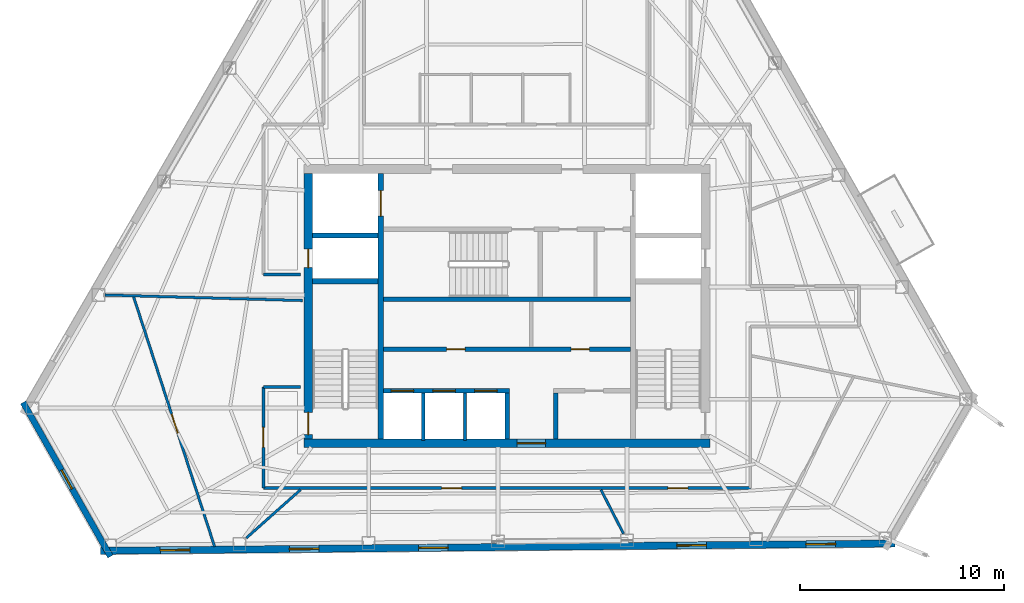
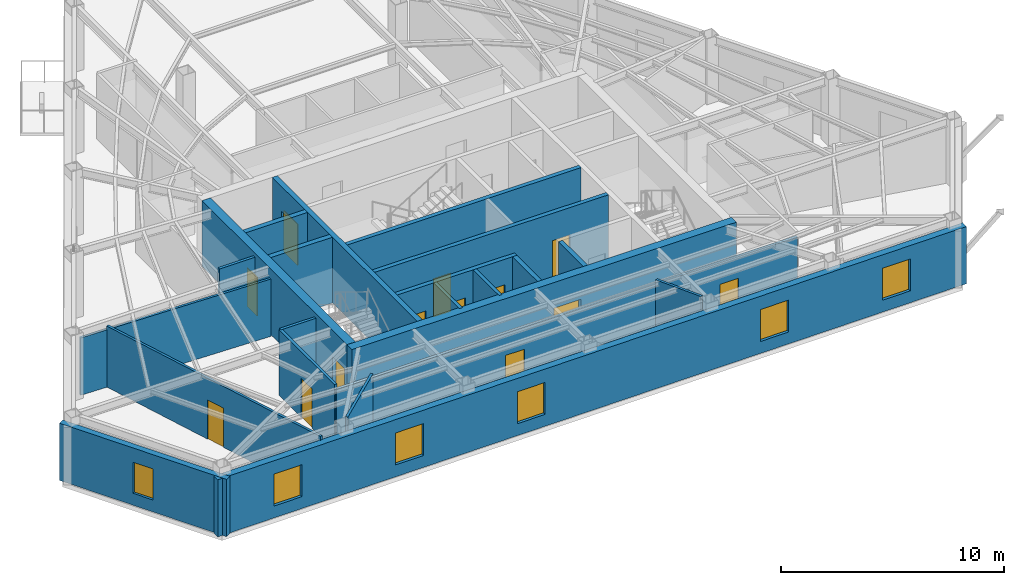
# One storey, part 6 of 10: 22 walls, 13 doors, 6 windows, 19 openings.
"""IFC4 building model written with IfcOpenShell, lengths in metres."""

import ifcopenshell
import ifcopenshell.guid

model = None  # the IFC model being written
_history = None  # IfcOwnerHistory: only IFC2X3 demands one
_inside = {}  # id of a spatial element -> (the spatial element, [elements in it])
_under = {}  # id of a project, library or spatial element -> (it, [spatial elements below it])
_declared = {}  # id of a project -> (the project, [libraries it declares])
_typed = {}  # id of a type object -> (the type object, [elements of that type])
_made_of = {}  # id of a material, layer set ... -> (it, [elements and type objects made of it])


def new_model(schema):
    """Start an empty IFC model of exactly this schema.

    Asked for "IFC4X3", IfcOpenShell would pick the latest addendum, in which some entities
    have other attributes; the version numbers below select the first issue.
    IFC2X3 requires an IfcOwnerHistory on every rooted entity: one is made here for all.
    """
    global model, _history
    if schema == "IFC4X3":
        model = ifcopenshell.file(schema_version=(4, 3, 0, 0))
    else:
        model = ifcopenshell.file(schema=schema)
    _inside.clear()
    _under.clear()
    _declared.clear()
    _typed.clear()
    _made_of.clear()
    _history = None
    if model.schema == "IFC2X3":
        org = make("IfcOrganization", Name="unknown")
        user = make(
            "IfcPersonAndOrganization",
            ThePerson=make("IfcPerson", FamilyName="unknown"),
            TheOrganization=org,
        )
        app = make(
            "IfcApplication",
            ApplicationDeveloper=org,
            Version="unknown",
            ApplicationFullName="unknown",
            ApplicationIdentifier="unknown",
        )
        _history = make(
            "IfcOwnerHistory",
            OwningUser=user,
            OwningApplication=app,
            ChangeAction="ADDED",
            CreationDate=0,
        )
    return model


def make(cls, **values):
    """One entity of the class cls with the attributes given. An attribute that is None is left unset."""
    return model.create_entity(
        cls, **{name: value for name, value in values.items() if value is not None}
    )


def rooted(cls, **values):
    """An entity with a GlobalId (a new one), such as an element, a storey or a relation."""
    return make(cls, GlobalId=ifcopenshell.guid.new(), OwnerHistory=_history, **values)


def si_unit(unit_type, name, prefix=None):
    """IfcSIUnit, for example si_unit("LENGTHUNIT", "METRE", prefix="MILLI")."""
    return make("IfcSIUnit", UnitType=unit_type, Prefix=prefix, Name=name)


def assignment(units):
    """IfcUnitAssignment: the units of a project."""
    return None if units is None else make("IfcUnitAssignment", Units=units)


def point(xyz):
    """IfcCartesianPoint."""
    return None if xyz is None else make("IfcCartesianPoint", Coordinates=xyz)


def direction(xyz):
    """IfcDirection."""
    return None if xyz is None else make("IfcDirection", DirectionRatios=xyz)


def frame(location, z_axis=None, x_axis=None):
    """IfcAxis2Placement3D, a coordinate frame: its origin and axes. An axis left out is left unset."""
    return make(
        "IfcAxis2Placement3D",
        Location=point(location),
        Axis=direction(z_axis),
        RefDirection=direction(x_axis),
    )


def frame_2d(location, x_axis=None):
    """IfcAxis2Placement2D, a coordinate frame in the plane: its origin and x axis."""
    return make(
        "IfcAxis2Placement2D", Location=point(location), RefDirection=direction(x_axis)
    )


def origin():
    """The frame at (0, 0, 0) with its axes left unset."""
    return frame((0.0, 0.0, 0.0))


def place(relative_to, where):
    """IfcLocalPlacement: puts the frame where relative to a parent placement (None: the world)."""
    return make(
        "IfcLocalPlacement", PlacementRelTo=relative_to, RelativePlacement=where
    )


def context(
    kind, dimensions, precision=None, world=None, true_north=None, identifier=None
):
    """IfcGeometricRepresentationContext, for example the 3D "Model" context."""
    return make(
        "IfcGeometricRepresentationContext",
        ContextIdentifier=identifier,
        ContextType=kind,
        CoordinateSpaceDimension=dimensions,
        Precision=precision,
        WorldCoordinateSystem=world,
        TrueNorth=true_north,
    )


def subcontext(parent, identifier, kind, view, scale=None):
    """IfcGeometricRepresentationSubContext, for example "Body" below "Model"."""
    return make(
        "IfcGeometricRepresentationSubContext",
        ContextIdentifier=identifier,
        ContextType=kind,
        ParentContext=parent,
        TargetScale=scale,
        TargetView=view,
    )


def project(units=None, contexts=None):
    """IfcProject with its units and contexts."""
    return rooted(
        "IfcProject",
        Name="project",
        RepresentationContexts=contexts,
        UnitsInContext=assignment(units),
    )


def spatial(cls, under=None, at=None, **own):
    """A site, building, storey or space (cls), placed at a placement, below another one or the project."""
    s = rooted(cls, ObjectPlacement=at, **own)
    if under is not None:
        _under.setdefault(under.id(), (under, []))[1].append(s)
    return s


def profile(cls, at=None, kind="AREA", **sizes):
    """A parametric profile (cls). Its sizes go by their IFC names, for example OverallWidth=200.0."""
    return make(cls, ProfileType=kind, Position=at, **sizes)


def rectangle(**sizes):
    """IfcRectangleProfileDef."""
    return profile("IfcRectangleProfileDef", **sizes)


def extrude(swept, where, along, depth):
    """IfcExtrudedAreaSolid: the profile swept, set in the frame where, extruded along a direction by depth."""
    return make(
        "IfcExtrudedAreaSolid",
        SweptArea=swept,
        Position=where,
        ExtrudedDirection=direction(along),
        Depth=depth,
    )


def shape(context_of_items, identifier, shape_type, items):
    """IfcShapeRepresentation: the items that make up one representation, for example the "Body"."""
    return make(
        "IfcShapeRepresentation",
        ContextOfItems=context_of_items,
        RepresentationIdentifier=identifier,
        RepresentationType=shape_type,
        Items=items,
    )


def material(Name=None, Category=None):
    """IfcMaterial."""
    return make("IfcMaterial", Name=Name, Category=Category)


def layer(
    of_material, thickness, ventilated=None, Name=None, Category=None, Priority=None
):
    """IfcMaterialLayer: one layer of a wall or slab, of a material (None: an air gap)."""
    return make(
        "IfcMaterialLayer",
        Material=of_material,
        LayerThickness=thickness,
        IsVentilated=ventilated,
        Name=Name,
        Category=Category,
        Priority=Priority,
    )


def layer_set(layers, Name=None):
    """IfcMaterialLayerSet."""
    return make("IfcMaterialLayerSet", MaterialLayers=layers, LayerSetName=Name)


def made_of(thing, what):
    """Note that an element or type object is made of a material, layer set ...; save() writes the relation."""
    if what is not None:
        _made_of.setdefault(what.id(), (what, []))[1].append(thing)
    return thing


def type_object(cls, material=None, **own):
    """A type object (cls), such as IfcWallType, which elements share."""
    return made_of(rooted(cls, **own), material)


def element(
    cls,
    number,
    at=None,
    inside=None,
    cuts=None,
    type_object=None,
    material=None,
    context=None,
    identifier="Body",
    shape_type=None,
    held_by="IfcProductDefinitionShape",
    body=None,
    shapes=None,
    **own,
):
    """One element of the class cls, such as IfcWall. Its Tag is "e" and its number.

    at: its placement. inside: the storey or other place that contains it. cuts: it is an
    opening in that element (IfcRelVoidsElement). A single representation is given by context,
    identifier, shape_type and body (its items); several are given by shapes. held_by: the class
    of the entity that holds the representations. save() writes the other relations.
    """
    e = rooted(cls, Tag="e%d" % number, ObjectPlacement=at, **own)
    if body is not None:
        shapes = [shape(context, identifier, shape_type, body)]
    if shapes is not None:
        e.Representation = make(held_by, Representations=shapes)
    if inside is not None:
        _inside.setdefault(inside.id(), (inside, []))[1].append(e)
    if cuts is not None:
        rooted(
            "IfcRelVoidsElement", RelatingBuildingElement=cuts, RelatedOpeningElement=e
        )
    if type_object is not None:
        _typed.setdefault(type_object.id(), (type_object, []))[1].append(e)
    return made_of(e, material)


def fill(opening, filler):
    """IfcRelFillsElement: the door or window that sits in an opening."""
    return rooted(
        "IfcRelFillsElement",
        RelatingOpeningElement=opening,
        RelatedBuildingElement=filler,
    )


def aggregate(whole, parts):
    """IfcRelAggregates: a whole, such as a stair, and the parts it consists of."""
    return rooted("IfcRelAggregates", RelatingObject=whole, RelatedObjects=parts)


def save(model, path):
    """Write the relations noted so far, then the file.

    IfcRelAggregates (storeys below a building ...), IfcRelContainedInSpatialStructure (elements
    in a storey), IfcRelDefinesByType, IfcRelAssociatesMaterial and IfcRelDeclares: one each for
    every whole, place, type object, material and project.
    """
    for whole, parts in _under.values():
        aggregate(whole, parts)
    for where, things in _inside.values():
        rooted(
            "IfcRelContainedInSpatialStructure",
            RelatedElements=things,
            RelatingStructure=where,
        )
    for kind, things in _typed.values():
        rooted("IfcRelDefinesByType", RelatedObjects=things, RelatingType=kind)
    for what, things in _made_of.values():
        rooted("IfcRelAssociatesMaterial", RelatedObjects=things, RelatingMaterial=what)
    for by, libraries in _declared.values():
        rooted("IfcRelDeclares", RelatingContext=by, RelatedDefinitions=libraries)
    model.write(path)


model = new_model("IFC4")

# Units and contexts
model_context = context("Model", 3, precision=1e-05, world=origin(), true_north=direction((0.0, 1.0)))
body_context = subcontext(model_context, "Body", "Model", "MODEL_VIEW")
ifc_project = project(units=[si_unit("LENGTHUNIT", "METRE"), si_unit("AREAUNIT", "SQUARE_METRE"), si_unit("VOLUMEUNIT", "CUBIC_METRE"), si_unit("PLANEANGLEUNIT", "RADIAN"), si_unit("MASSUNIT", "GRAM", prefix="KILO")], contexts=[model_context])

# Site, building, storey
site_placement = place(None, origin())
site = spatial("IfcSite", under=ifc_project, at=site_placement, CompositionType="ELEMENT")
building_placement = place(site_placement, origin())
building = spatial("IfcBuilding", under=site, at=building_placement, Name="Kavelnor Concourse Tower", CompositionType="ELEMENT")
storey_placement = place(building_placement, frame((0.0, 0.0, 222.75)))
storey = spatial("IfcBuildingStorey", under=building, at=storey_placement, Name="L56", CompositionType="ELEMENT", Elevation=222.75)

# Wall, opening, door
ifc_material_1 = material(Name="Concrete C50/60", Category="concrete")
ifc_layer_1 = layer(ifc_material_1, 0.43994140625, Name="Concrete C50/60")
ifc_layer_set_1 = layer_set([ifc_layer_1], Name="Concrete C50/60")
wall_type_1 = type_object("IfcWallType", Name="WL-CORE-Z3-440", PredefinedType="SOLIDWALL", material=ifc_layer_set_1)
wall_1_placement = place(storey_placement, frame((28.0400390625, 9.3798828125, 0.0), z_axis=(0.0, 0.0, 1.0), x_axis=(1.0, 0.0, 0.0)))
wall_1 = element("IfcWall", 1, at=wall_1_placement, inside=storey, type_object=wall_type_1, Name="L56 Central Core South Shear Wall", PredefinedType="SOLIDWALL", context=body_context, shape_type="SweptSolid", body=[
    extrude(rectangle(XDim=19.919921875, YDim=0.43994140625, at=frame_2d((9.9599609375, 0.0))), origin(), (0.0, 0.0, 1.0), 3.60009765625),
])
opening_1_placement = place(wall_1_placement, frame((10.4599609375, 0.0, 0.0)))
opening_1 = element("IfcOpeningElement", 2, at=opening_1_placement, cuts=wall_1, Name="Opening SD-140", PredefinedType="OPENING", context=body_context, shape_type="SweptSolid", body=[
    extrude(rectangle(XDim=1.39990234375, YDim=2.199951171875, at=frame_2d((0.699951171875, 1.10009765625))), frame((0.0, 0.22998046875, 0.0), z_axis=(0.0, -1.0, 0.0), x_axis=(1.0, 0.0, 0.0)), (0.0, 0.0, 1.0), 0.4599609375),
])
ifc_material_2 = material(Name="Solid-core hardwood timber", Category="wood")
door_type_1 = type_object("IfcDoorType", Name="DR-SUITE-ENTRY-1400", OperationType="NOTDEFINED", PredefinedType="DOOR", material=ifc_material_2)
door_1_placement = place(opening_1_placement, origin())
door_1 = element("IfcDoor", 3, at=door_1_placement, inside=storey, type_object=door_type_1, Name="L56 Passenger Lift Lobby Entry Door", OperationType="SINGLE_SWING_LEFT", OverallHeight=2.199951171875, OverallWidth=1.39990234375, PredefinedType="DOOR", context=body_context, shape_type="SweptSolid", body=[
    extrude(rectangle(XDim=1.39990234375, YDim=2.199951171875, at=frame_2d((0.699951171875, 1.10009765625))), frame((0.0, 0.02490234375, 0.0), z_axis=(0.0, -1.0, 0.0), x_axis=(1.0, 0.0, 0.0)), (0.0, 0.0, 1.0), 0.050048828125),
])
fill(opening_1, door_1)

# Wall, openings, doors
wall_2_placement = place(storey_placement, frame((28.260009765625, 9.60009765625, 0.0), z_axis=(0.0, 0.0, 1.0), x_axis=(0.0, 1.0, 0.0)))
wall_2 = element("IfcWall", 4, at=wall_2_placement, inside=storey, type_object=wall_type_1, Name="L56 Central Core West Shear Wall", PredefinedType="SOLIDWALL", context=body_context, shape_type="SweptSolid", body=[
    extrude(rectangle(XDim=13.0, YDim=0.43994140625, at=frame_2d((6.5, 0.0))), origin(), (0.0, 0.0, 1.0), 3.60009765625),
])
opening_2_placement = place(wall_2_placement, frame((0.199951171875, 0.0, 0.0)))
opening_2 = element("IfcOpeningElement", 5, at=opening_2_placement, cuts=wall_2, Name="Opening FD-110", PredefinedType="OPENING", context=body_context, shape_type="SweptSolid", body=[
    extrude(rectangle(XDim=1.10009765625, YDim=2.14990234375, at=frame_2d((0.550048828125, 1.074951171875))), frame((0.0, 0.22998046875, 0.0), z_axis=(0.0, -1.0, 0.0), x_axis=(1.0, 0.0, 0.0)), (0.0, 0.0, 1.0), 0.4599609375),
])
opening_3_placement = place(wall_2_placement, frame((8.39990234375, 0.0, 0.0)))
opening_3 = element("IfcOpeningElement", 6, at=opening_3_placement, cuts=wall_2, Name="Opening FD-090", PredefinedType="OPENING", context=body_context, shape_type="SweptSolid", body=[
    extrude(rectangle(XDim=0.89990234375, YDim=2.10009765625, at=frame_2d((0.449951171875, 1.050048828125))), frame((0.0, 0.22998046875, 0.0), z_axis=(0.0, -1.0, 0.0), x_axis=(1.0, 0.0, 0.0)), (0.0, 0.0, 1.0), 0.4599609375),
])
ifc_material_3 = material(Name="Steel Grade 350", Category="steel")
door_type_2 = type_object("IfcDoorType", Name="DR-RISER-FIRE-900", OperationType="NOTDEFINED", PredefinedType="DOOR", material=ifc_material_3)
door_2_placement = place(opening_3_placement, origin())
door_2 = element("IfcDoor", 7, at=door_2_placement, inside=storey, type_object=door_type_2, Name="L56 West Riser Access Door", OperationType="SINGLE_SWING_RIGHT", OverallHeight=2.10009765625, OverallWidth=0.89990234375, PredefinedType="DOOR", context=body_context, shape_type="SweptSolid", body=[
    extrude(rectangle(XDim=0.89990234375, YDim=2.10009765625, at=frame_2d((0.449951171875, 1.050048828125))), frame((0.0, 0.02490234375, 0.0), z_axis=(0.0, -1.0, 0.0), x_axis=(1.0, 0.0, 0.0)), (0.0, 0.0, 1.0), 0.050048828125),
])
fill(opening_3, door_2)
door_type_3 = type_object("IfcDoorType", Name="DR-STAIR-FIRE-1100", OperationType="NOTDEFINED", PredefinedType="DOOR", material=ifc_material_3)
door_3_placement = place(opening_2_placement, origin())
door_3 = element("IfcDoor", 8, at=door_3_placement, inside=storey, type_object=door_type_3, Name="L56 Stair ST1 Fire Door", OperationType="SINGLE_SWING_LEFT", OverallHeight=2.14990234375, OverallWidth=1.10009765625, PredefinedType="DOOR", context=body_context, shape_type="SweptSolid", body=[
    extrude(rectangle(XDim=1.10009765625, YDim=2.14990234375, at=frame_2d((0.550048828125, 1.074951171875))), frame((0.0, 0.02490234375, 0.0), z_axis=(0.0, -1.0, 0.0), x_axis=(1.0, 0.0, 0.0)), (0.0, 0.0, 1.0), 0.050048828125),
])
fill(opening_2, door_3)

# Wall, opening, window
ifc_material_4 = material(Name="Buff ironspot clay face brick masonry", Category="masonry")
ifc_layer_2 = layer(ifc_material_4, 0.300048828125, Name="Buff ironspot clay face brick masonry")
ifc_layer_set_2 = layer_set([ifc_layer_2], Name="Buff ironspot clay face brick masonry")
wall_type_2 = type_object("IfcWallType", Name="WL-EXT-BUFF-BRICK-FOLD-300", PredefinedType="STANDARD", material=ifc_layer_set_2)
wall_3_placement = place(storey_placement, frame((18.559814453125, 3.82568359375, 0.0), z_axis=(0.0, 0.0, 1.0), x_axis=(-0.493102643732, 0.86997113903, 0.0)))
wall_3 = element("IfcWall", 9, at=wall_3_placement, inside=storey, type_object=wall_type_2, Name="L56 Exterior Brick Facade Wall E2", PredefinedType="STANDARD", context=body_context, shape_type="SweptSolid", body=[
    extrude(rectangle(XDim=8.685302734375, YDim=0.300048828125, at=frame_2d((4.3427734375, 0.0))), origin(), (0.0, 0.0, 1.0), 3.132080078125),
])
opening_4_placement = place(wall_3_placement, frame((3.817626953125, 0.0, 0.64990234375)))
opening_4 = element("IfcOpeningElement", 10, at=opening_4_placement, cuts=wall_3, Name="Opening W-06", PredefinedType="OPENING", context=body_context, shape_type="SweptSolid", body=[
    extrude(rectangle(XDim=1.050048828125, YDim=1.699951171875, at=frame_2d((0.52490234375, 0.85009765625))), frame((0.0, 0.16015625, 0.0), z_axis=(0.0, -1.0, 0.0), x_axis=(1.0, 0.0, 0.0)), (0.0, 0.0, 1.0), 0.320068359375),
])
ifc_material_5 = material(Name="Double low-E argon insulated glazing", Category="glass")
window_type_1 = type_object("IfcWindowType", Name="WIN-FOLD-1050", PartitioningType="SINGLE_PANEL", PredefinedType="WINDOW", material=ifc_material_5)
window_1_placement = place(opening_4_placement, origin())
window_1 = element("IfcWindow", 11, at=window_1_placement, inside=storey, type_object=window_type_1, Name="L56 Chamfer-Fold Facet Window C1", OverallHeight=1.699951171875, OverallWidth=1.050048828125, PartitioningType="SINGLE_PANEL", PredefinedType="WINDOW", context=body_context, shape_type="SweptSolid", body=[
    extrude(rectangle(XDim=1.050048828125, YDim=1.699951171875, at=frame_2d((0.52490234375, 0.85009765625))), frame((0.0, 0.030029296875, 0.0), z_axis=(0.0, -1.0, 0.0), x_axis=(1.0, 0.0, 0.0)), (0.0, 0.0, 1.0), 0.06005859375),
])
fill(opening_4, window_1)

# Wall, openings, windows
ifc_material_6 = material(Name="Red-ochre clay face brick masonry", Category="masonry")
ifc_layer_3 = layer(ifc_material_6, 0.35009765625, Name="Red-ochre clay face brick masonry")
ifc_layer_set_3 = layer_set([ifc_layer_3], Name="Red-ochre clay face brick masonry")
wall_type_3 = type_object("IfcWallType", Name="WL-EXT-RED-BRICK-PIER-350", PredefinedType="STANDARD", material=ifc_layer_set_3)
wall_4_placement = place(storey_placement, frame((57.0380859375, 4.4638671875, 0.0), z_axis=(0.0, 0.0, 1.0), x_axis=(-0.999957405044, -0.009229739812, 0.0)))
wall_4 = element("IfcWall", 12, at=wall_4_placement, inside=storey, type_object=wall_type_3, Name="L56 Exterior Brick Facade Wall E3", PredefinedType="STANDARD", context=body_context, shape_type="SweptSolid", body=[
    extrude(rectangle(XDim=38.963134765625, YDim=0.35009765625, at=frame_2d((19.4814453125, 0.0))), origin(), (0.0, 0.0, 1.0), 3.132080078125),
])
opening_5_placement = place(wall_4_placement, frame((34.588134765625, 0.0, 0.64990234375)))
opening_5 = element("IfcOpeningElement", 13, at=opening_5_placement, cuts=wall_4, Name="Opening W-03", PredefinedType="OPENING", context=body_context, shape_type="SweptSolid", body=[
    extrude(rectangle(XDim=1.449951171875, YDim=1.75, at=frame_2d((0.72509765625, 0.875))), frame((0.0, 0.18505859375, 0.0), z_axis=(0.0, -1.0, 0.0), x_axis=(1.0, 0.0, 0.0)), (0.0, 0.0, 1.0), 0.3701171875),
])
opening_6_placement = place(wall_4_placement, frame((28.25390625, 0.0, 0.64990234375)))
opening_6 = element("IfcOpeningElement", 14, at=opening_6_placement, cuts=wall_4, Name="Opening W-03", PredefinedType="OPENING", context=body_context, shape_type="SweptSolid", body=[
    extrude(rectangle(XDim=1.449951171875, YDim=1.75, at=frame_2d((0.72509765625, 0.875))), frame((0.0, 0.18505859375, 0.0), z_axis=(0.0, -1.0, 0.0), x_axis=(1.0, 0.0, 0.0)), (0.0, 0.0, 1.0), 0.3701171875),
])
opening_7_placement = place(wall_4_placement, frame((21.91943359375, 0.0, 0.64990234375)))
opening_7 = element("IfcOpeningElement", 15, at=opening_7_placement, cuts=wall_4, Name="Opening W-03", PredefinedType="OPENING", context=body_context, shape_type="SweptSolid", body=[
    extrude(rectangle(XDim=1.449951171875, YDim=1.75, at=frame_2d((0.72509765625, 0.875))), frame((0.0, 0.18505859375, 0.0), z_axis=(0.0, -1.0, 0.0), x_axis=(1.0, 0.0, 0.0)), (0.0, 0.0, 1.0), 0.3701171875),
])
opening_8_placement = place(wall_4_placement, frame((9.25048828125, 0.0, 0.64990234375)))
opening_8 = element("IfcOpeningElement", 16, at=opening_8_placement, cuts=wall_4, Name="Opening W-03", PredefinedType="OPENING", context=body_context, shape_type="SweptSolid", body=[
    extrude(rectangle(XDim=1.449951171875, YDim=1.75, at=frame_2d((0.72509765625, 0.875))), frame((0.0, 0.18505859375, 0.0), z_axis=(0.0, -1.0, 0.0), x_axis=(1.0, 0.0, 0.0)), (0.0, 0.0, 1.0), 0.3701171875),
])
opening_9_placement = place(wall_4_placement, frame((2.916015625, 0.0, 0.64990234375)))
opening_9 = element("IfcOpeningElement", 17, at=opening_9_placement, cuts=wall_4, Name="Opening W-03", PredefinedType="OPENING", context=body_context, shape_type="SweptSolid", body=[
    extrude(rectangle(XDim=1.449951171875, YDim=1.75, at=frame_2d((0.72509765625, 0.875))), frame((0.0, 0.18505859375, 0.0), z_axis=(0.0, -1.0, 0.0), x_axis=(1.0, 0.0, 0.0)), (0.0, 0.0, 1.0), 0.3701171875),
])
window_type_2 = type_object("IfcWindowType", Name="WIN-PIER-Z3-1500", PartitioningType="SINGLE_PANEL", PredefinedType="WINDOW", material=ifc_material_5)
window_2_placement = place(opening_5_placement, origin())
window_2 = element("IfcWindow", 18, at=window_2_placement, inside=storey, type_object=window_type_2, Name="L56 Deep-Set Brick Pier Window F1-B0", OverallHeight=1.75, OverallWidth=1.449951171875, PartitioningType="SINGLE_PANEL", PredefinedType="WINDOW", context=body_context, shape_type="SweptSolid", body=[
    extrude(rectangle(XDim=1.449951171875, YDim=1.75, at=frame_2d((0.72509765625, 0.875))), frame((0.0, 0.030029296875, 0.0), z_axis=(0.0, -1.0, 0.0), x_axis=(1.0, 0.0, 0.0)), (0.0, 0.0, 1.0), 0.06005859375),
])
fill(opening_5, window_2)
window_3_placement = place(opening_6_placement, origin())
window_3 = element("IfcWindow", 19, at=window_3_placement, inside=storey, type_object=window_type_2, Name="L56 Deep-Set Brick Pier Window F1-B1", OverallHeight=1.75, OverallWidth=1.449951171875, PartitioningType="SINGLE_PANEL", PredefinedType="WINDOW", context=body_context, shape_type="SweptSolid", body=[
    extrude(rectangle(XDim=1.449951171875, YDim=1.75, at=frame_2d((0.72509765625, 0.875))), frame((0.0, 0.030029296875, 0.0), z_axis=(0.0, -1.0, 0.0), x_axis=(1.0, 0.0, 0.0)), (0.0, 0.0, 1.0), 0.06005859375),
])
fill(opening_6, window_3)
window_4_placement = place(opening_7_placement, origin())
window_4 = element("IfcWindow", 20, at=window_4_placement, inside=storey, type_object=window_type_2, Name="L56 Deep-Set Brick Pier Window F1-B2", OverallHeight=1.75, OverallWidth=1.449951171875, PartitioningType="SINGLE_PANEL", PredefinedType="WINDOW", context=body_context, shape_type="SweptSolid", body=[
    extrude(rectangle(XDim=1.449951171875, YDim=1.75, at=frame_2d((0.72509765625, 0.875))), frame((0.0, 0.030029296875, 0.0), z_axis=(0.0, -1.0, 0.0), x_axis=(1.0, 0.0, 0.0)), (0.0, 0.0, 1.0), 0.06005859375),
])
fill(opening_7, window_4)
window_5_placement = place(opening_8_placement, origin())
window_5 = element("IfcWindow", 21, at=window_5_placement, inside=storey, type_object=window_type_2, Name="L56 Deep-Set Brick Pier Window F1-B4", OverallHeight=1.75, OverallWidth=1.449951171875, PartitioningType="SINGLE_PANEL", PredefinedType="WINDOW", context=body_context, shape_type="SweptSolid", body=[
    extrude(rectangle(XDim=1.449951171875, YDim=1.75, at=frame_2d((0.72509765625, 0.875))), frame((0.0, 0.030029296875, 0.0), z_axis=(0.0, -1.0, 0.0), x_axis=(1.0, 0.0, 0.0)), (0.0, 0.0, 1.0), 0.06005859375),
])
fill(opening_8, window_5)
window_6_placement = place(opening_9_placement, origin())
window_6 = element("IfcWindow", 22, at=window_6_placement, inside=storey, type_object=window_type_2, Name="L56 Deep-Set Brick Pier Window F1-B5", OverallHeight=1.75, OverallWidth=1.449951171875, PartitioningType="SINGLE_PANEL", PredefinedType="WINDOW", context=body_context, shape_type="SweptSolid", body=[
    extrude(rectangle(XDim=1.449951171875, YDim=1.75, at=frame_2d((0.72509765625, 0.875))), frame((0.0, 0.030029296875, 0.0), z_axis=(0.0, -1.0, 0.0), x_axis=(1.0, 0.0, 0.0)), (0.0, 0.0, 1.0), 0.06005859375),
])
fill(opening_9, window_6)

# Wall
ifc_material_7 = material(Name="Gypsum plasterboard on light-gauge steel studs", Category="steel")
ifc_layer_4 = layer(ifc_material_7, 0.14501953125, Name="Gypsum plasterboard on light-gauge steel studs")
ifc_layer_set_4 = layer_set([ifc_layer_4], Name="Gypsum plasterboard on light-gauge steel studs")
wall_type_4 = type_object("IfcWallType", Name="WL-INT-CORR-145", PredefinedType="PARTITIONING", material=ifc_layer_set_4)
wall_5_placement = place(storey_placement, frame((27.8798828125, 17.64990234375, 0.0), z_axis=(0.0, 0.0, 1.0), x_axis=(-1.0, 0.0, 0.0)))
element("IfcWall", 23, at=wall_5_placement, inside=storey, type_object=wall_type_4, Name="L56 Corridor Wall WL-L56-CR-01", PredefinedType="PARTITIONING", context=body_context, shape_type="SweptSolid", body=[
    extrude(rectangle(XDim=1.81982421875, YDim=0.14501953125, at=frame_2d((0.909912109375, 0.0))), origin(), (0.0, 0.0, 1.0), 3.60009765625),
])

# Wall, openings, doors
wall_6_placement = place(storey_placement, frame((49.93994140625, 7.179931640625, 0.0), z_axis=(0.0, 0.0, 1.0), x_axis=(-1.0, 0.0, 0.0)))
wall_6 = element("IfcWall", 24, at=wall_6_placement, inside=storey, type_object=wall_type_4, Name="L56 Corridor Wall WL-L56-CR-17", PredefinedType="PARTITIONING", context=body_context, shape_type="SweptSolid", body=[
    extrude(rectangle(XDim=23.8798828125, YDim=0.14501953125, at=frame_2d((11.93994140625, 0.0))), origin(), (0.0, 0.0, 1.0), 3.339111328125),
])
opening_10_placement = place(wall_6_placement, frame((14.156982421875, 0.0, 0.0)))
opening_10 = element("IfcOpeningElement", 25, at=opening_10_placement, cuts=wall_6, Name="Opening OD-098", PredefinedType="OPENING", context=body_context, shape_type="SweptSolid", body=[
    extrude(rectangle(XDim=0.97998046875, YDim=2.14990234375, at=frame_2d((0.489990234375, 1.074951171875))), frame((0.0, 0.08251953125, 0.0), z_axis=(0.0, -1.0, 0.0), x_axis=(1.0, 0.0, 0.0)), (0.0, 0.0, 1.0), 0.1650390625),
])
opening_11_placement = place(wall_6_placement, frame((3.0556640625, 0.0, 0.0)))
opening_11 = element("IfcOpeningElement", 26, at=opening_11_placement, cuts=wall_6, Name="Opening OD-098", PredefinedType="OPENING", context=body_context, shape_type="SweptSolid", body=[
    extrude(rectangle(XDim=0.97998046875, YDim=2.14990234375, at=frame_2d((0.489990234375, 1.074951171875))), frame((0.0, 0.08251953125, 0.0), z_axis=(0.0, -1.0, 0.0), x_axis=(1.0, 0.0, 0.0)), (0.0, 0.0, 1.0), 0.1650390625),
])
door_type_4 = type_object("IfcDoorType", Name="DR-OFFICE-980", OperationType="NOTDEFINED", PredefinedType="DOOR", material=ifc_material_2)
door_4_placement = place(opening_10_placement, origin())
door_4 = element("IfcDoor", 27, at=door_4_placement, inside=storey, type_object=door_type_4, Name="L56 Client Concierge 05 Door", OperationType="SINGLE_SWING_RIGHT", OverallHeight=2.14990234375, OverallWidth=0.97998046875, PredefinedType="DOOR", context=body_context, shape_type="SweptSolid", body=[
    extrude(rectangle(XDim=0.97998046875, YDim=2.14990234375, at=frame_2d((0.489990234375, 1.074951171875))), frame((0.0, 0.02490234375, 0.0), z_axis=(0.0, -1.0, 0.0), x_axis=(1.0, 0.0, 0.0)), (0.0, 0.0, 1.0), 0.050048828125),
])
fill(opening_10, door_4)
door_5_placement = place(opening_11_placement, origin())
door_5 = element("IfcDoor", 28, at=door_5_placement, inside=storey, type_object=door_type_4, Name="L56 Client Concierge 06 Door", OperationType="SINGLE_SWING_LEFT", OverallHeight=2.14990234375, OverallWidth=0.97998046875, PredefinedType="DOOR", context=body_context, shape_type="SweptSolid", body=[
    extrude(rectangle(XDim=0.97998046875, YDim=2.14990234375, at=frame_2d((0.489990234375, 1.074951171875))), frame((0.0, 0.02490234375, 0.0), z_axis=(0.0, -1.0, 0.0), x_axis=(1.0, 0.0, 0.0)), (0.0, 0.0, 1.0), 0.050048828125),
])
fill(opening_11, door_5)

# Wall, opening, door
wall_7_placement = place(storey_placement, frame((26.06005859375, 7.179931640625, 0.0), z_axis=(0.0, 0.0, 1.0), x_axis=(0.0, 1.0, 0.0)))
wall_7 = element("IfcWall", 29, at=wall_7_placement, inside=storey, type_object=wall_type_4, Name="L56 Corridor Wall WL-L56-CR-18", PredefinedType="PARTITIONING", context=body_context, shape_type="SweptSolid", body=[
    extrude(rectangle(XDim=4.969970703125, YDim=0.14501953125, at=frame_2d((2.48486328125, 0.0))), origin(), (0.0, 0.0, 1.0), 3.60009765625),
])
opening_12_placement = place(wall_7_placement, frame((1.9951171875, 0.0, 0.0)))
opening_12 = element("IfcOpeningElement", 30, at=opening_12_placement, cuts=wall_7, Name="Opening OD-098", PredefinedType="OPENING", context=body_context, shape_type="SweptSolid", body=[
    extrude(rectangle(XDim=0.97998046875, YDim=2.14990234375, at=frame_2d((0.489990234375, 1.074951171875))), frame((0.0, 0.08251953125, 0.0), z_axis=(0.0, -1.0, 0.0), x_axis=(1.0, 0.0, 0.0)), (0.0, 0.0, 1.0), 0.1650390625),
])
door_6_placement = place(opening_12_placement, origin())
door_6 = element("IfcDoor", 31, at=door_6_placement, inside=storey, type_object=door_type_4, Name="L56 Building Staff Breakroom 03 Door", OperationType="SINGLE_SWING_RIGHT", OverallHeight=2.14990234375, OverallWidth=0.97998046875, PredefinedType="DOOR", context=body_context, shape_type="SweptSolid", body=[
    extrude(rectangle(XDim=0.97998046875, YDim=2.14990234375, at=frame_2d((0.489990234375, 1.074951171875))), frame((0.0, 0.02490234375, 0.0), z_axis=(0.0, -1.0, 0.0), x_axis=(1.0, 0.0, 0.0)), (0.0, 0.0, 1.0), 0.050048828125),
])
fill(opening_12, door_6)

# Walls
wall_8_placement = place(storey_placement, frame((26.06005859375, 12.14990234375, 0.0), z_axis=(0.0, 0.0, 1.0), x_axis=(1.0, 0.0, 0.0)))
element("IfcWall", 32, at=wall_8_placement, inside=storey, type_object=wall_type_4, Name="L56 Corridor Wall WL-L56-CR-19", PredefinedType="PARTITIONING", context=body_context, shape_type="SweptSolid", body=[
    extrude(rectangle(XDim=1.81982421875, YDim=0.14501953125, at=frame_2d((0.909912109375, 0.0))), origin(), (0.0, 0.0, 1.0), 3.60009765625),
])
ifc_layer_5 = layer(ifc_material_7, 0.1650390625, Name="Gypsum plasterboard on light-gauge steel studs")
ifc_layer_set_5 = layer_set([ifc_layer_5], Name="Gypsum plasterboard on light-gauge steel studs")
wall_type_5 = type_object("IfcWallType", Name="WL-INT-FIRE-165", PredefinedType="PARTITIONING", material=ifc_layer_set_5)
for number, where, z_axis, x_axis, name in (
    (33, (33.89990234375, 9.52001953125, 0.0), (0.0, 0.0, 1.0), (0.0, 1.0, 0.0), "L56 Lift Shaft Divider LP7"),
    (34, (35.949951171875, 9.52001953125, 0.0), (0.0, 0.0, 1.0), (0.0, 1.0, 0.0), "L56 Lift Shaft Divider LP8"),
):
    element("IfcWall", number, at=place(storey_placement, frame(where, z_axis=z_axis, x_axis=x_axis)), inside=storey, type_object=wall_type_5, Name=name, PredefinedType="PARTITIONING", context=body_context, shape_type="SweptSolid", body=[
        extrude(rectangle(XDim=2.320068359375, YDim=0.1650390625, at=frame_2d((1.16015625, 0.0))), origin(), (0.0, 0.0, 1.0), 3.60009765625),
    ])
ifc_layer_6 = layer(ifc_material_7, 0.125, Name="Gypsum plasterboard on light-gauge steel studs")
ifc_layer_set_6 = layer_set([ifc_layer_6], Name="Gypsum plasterboard on light-gauge steel studs")
wall_type_6 = type_object("IfcWallType", Name="WL-INT-SUITE-125", PredefinedType="PARTITIONING", material=ifc_layer_set_6)
wall_9_placement = place(storey_placement, frame((27.97998046875, 16.38037109375, 0.0), z_axis=(0.0, 0.0, 1.0), x_axis=(-0.999608903911, 0.027964964169, 0.0)))
element("IfcWall", 35, at=wall_9_placement, inside=storey, type_object=wall_type_6, Name="L56 Radial Suite Partition 02", PredefinedType="PARTITIONING", context=body_context, shape_type="SweptSolid", body=[
    extrude(rectangle(XDim=9.690673828125, YDim=0.125, at=frame_2d((4.84521484375, 0.0))), origin(), (0.0, 0.0, 1.0), 3.14111328125),
])
wall_10_placement = place(storey_placement, frame((27.88330078125, 7.099609375, 0.0), z_axis=(0.0, 0.0, 1.0), x_axis=(-0.747084406965, -0.664729184608, 0.0)))
element("IfcWall", 36, at=wall_10_placement, inside=storey, type_object=wall_type_6, Name="L56 Radial Suite Partition 03", PredefinedType="PARTITIONING", context=body_context, shape_type="SweptSolid", body=[
    extrude(rectangle(XDim=3.566162109375, YDim=0.125, at=frame_2d((1.783203125, 0.0))), origin(), (0.0, 0.0, 1.0), 3.60009765625),
])
wall_11_placement = place(storey_placement, frame((42.617431640625, 7.099609375, 0.0), z_axis=(0.0, 0.0, 1.0), x_axis=(0.456486180098, -0.889730502669, 0.0)))
element("IfcWall", 37, at=wall_11_placement, inside=storey, type_object=wall_type_6, Name="L56 Radial Suite Partition 04", PredefinedType="PARTITIONING", context=body_context, shape_type="SweptSolid", body=[
    extrude(rectangle(XDim=2.426513671875, YDim=0.125, at=frame_2d((1.21337890625, 0.0))), origin(), (0.0, 0.0, 1.0), 3.60009765625),
])

# Wall, opening, door
wall_12_placement = place(storey_placement, frame((19.684326171875, 16.597412109375, 0.0), z_axis=(0.0, 0.0, 1.0), x_axis=(0.308326334122, -0.951280648225, 0.0)))
wall_12 = element("IfcWall", 38, at=wall_12_placement, inside=storey, type_object=wall_type_6, Name="L56 Suite Subdivision Partition 03", PredefinedType="PARTITIONING", context=body_context, shape_type="SweptSolid", body=[
    extrude(rectangle(XDim=12.9208984375, YDim=0.125, at=frame_2d((6.46044921875, 0.0))), origin(), (0.0, 0.0, 1.0), 3.339111328125),
])
opening_13_placement = place(wall_12_placement, frame((6.08056640625, 0.0, 0.0)))
opening_13 = element("IfcOpeningElement", 39, at=opening_13_placement, cuts=wall_12, Name="Opening OD-098", PredefinedType="OPENING", context=body_context, shape_type="SweptSolid", body=[
    extrude(rectangle(XDim=0.97998046875, YDim=2.14990234375, at=frame_2d((0.489990234375, 1.074951171875))), frame((0.0, 0.072509765625, 0.0), z_axis=(0.0, -1.0, 0.0), x_axis=(1.0, 0.0, 0.0)), (0.0, 0.0, 1.0), 0.14501953125),
])
door_7_placement = place(opening_13_placement, origin())
door_7 = element("IfcDoor", 40, at=door_7_placement, inside=storey, type_object=door_type_4, Name="L56 Client Concierge 04 Door", OperationType="SINGLE_SWING_LEFT", OverallHeight=2.14990234375, OverallWidth=0.97998046875, PredefinedType="DOOR", context=body_context, shape_type="SweptSolid", body=[
    extrude(rectangle(XDim=0.97998046875, YDim=2.14990234375, at=frame_2d((0.489990234375, 1.074951171875))), frame((0.0, 0.02490234375, 0.0), z_axis=(0.0, -1.0, 0.0), x_axis=(1.0, 0.0, 0.0)), (0.0, 0.0, 1.0), 0.050048828125),
])
fill(opening_13, door_7)

# Wall
ifc_layer_7 = layer(ifc_material_1, 0.219970703125, Name="Concrete C50/60")
ifc_layer_set_7 = layer_set([ifc_layer_7], Name="Concrete C50/60")
wall_type_7 = type_object("IfcWallType", Name="WL-SHAFT-220", PredefinedType="SOLIDWALL", material=ifc_layer_set_7)
wall_13_placement = place(storey_placement, frame((31.93994140625, 16.449951171875, 0.0), z_axis=(0.0, 0.0, 1.0), x_axis=(1.0, 0.0, 0.0)))
element("IfcWall", 41, at=wall_13_placement, inside=storey, type_object=wall_type_7, Name="L56 Stair ST3 South Core Wall", PredefinedType="SOLIDWALL", context=body_context, shape_type="SweptSolid", body=[
    extrude(rectangle(XDim=12.1201171875, YDim=0.219970703125, at=frame_2d((6.06005859375, 0.0))), origin(), (0.0, 0.0, 1.0), 3.60009765625),
])

# Wall, openings, doors
wall_14_placement = place(storey_placement, frame((31.93994140625, 13.989990234375, 0.0), z_axis=(0.0, 0.0, 1.0), x_axis=(1.0, 0.0, 0.0)))
wall_14 = element("IfcWall", 42, at=wall_14_placement, inside=storey, type_object=wall_type_7, Name="L56 North Lift Row Shaft Wall", PredefinedType="SOLIDWALL", context=body_context, shape_type="SweptSolid", body=[
    extrude(rectangle(XDim=12.1201171875, YDim=0.219970703125, at=frame_2d((6.06005859375, 0.0))), origin(), (0.0, 0.0, 1.0), 3.60009765625),
])
opening_14_placement = place(wall_14_placement, frame((3.110107421875, 0.0, 0.0)))
opening_14 = element("IfcOpeningElement", 43, at=opening_14_placement, cuts=wall_14, Name="Opening FD-090", PredefinedType="OPENING", context=body_context, shape_type="SweptSolid", body=[
    extrude(rectangle(XDim=0.89990234375, YDim=2.10009765625, at=frame_2d((0.449951171875, 1.050048828125))), frame((0.0, 0.1201171875, 0.0), z_axis=(0.0, -1.0, 0.0), x_axis=(1.0, 0.0, 0.0)), (0.0, 0.0, 1.0), 0.239990234375),
])
opening_15_placement = place(wall_14_placement, frame((9.2099609375, 0.0, 0.0)))
opening_15 = element("IfcOpeningElement", 44, at=opening_15_placement, cuts=wall_14, Name="Opening FD-090", PredefinedType="OPENING", context=body_context, shape_type="SweptSolid", body=[
    extrude(rectangle(XDim=0.89990234375, YDim=2.10009765625, at=frame_2d((0.449951171875, 1.050048828125))), frame((0.0, 0.1201171875, 0.0), z_axis=(0.0, -1.0, 0.0), x_axis=(1.0, 0.0, 0.0)), (0.0, 0.0, 1.0), 0.239990234375),
])
door_8_placement = place(opening_14_placement, origin())
door_8 = element("IfcDoor", 45, at=door_8_placement, inside=storey, type_object=door_type_2, Name="L56 Lounge Pantry Door", OperationType="SINGLE_SWING_LEFT", OverallHeight=2.10009765625, OverallWidth=0.89990234375, PredefinedType="DOOR", context=body_context, shape_type="SweptSolid", body=[
    extrude(rectangle(XDim=0.89990234375, YDim=2.10009765625, at=frame_2d((0.449951171875, 1.050048828125))), frame((0.0, 0.02490234375, 0.0), z_axis=(0.0, -1.0, 0.0), x_axis=(1.0, 0.0, 0.0)), (0.0, 0.0, 1.0), 0.050048828125),
])
fill(opening_14, door_8)
door_9_placement = place(opening_15_placement, origin())
door_9 = element("IfcDoor", 46, at=door_9_placement, inside=storey, type_object=door_type_2, Name="L56 Facilities Store Door", OperationType="SINGLE_SWING_RIGHT", OverallHeight=2.10009765625, OverallWidth=0.89990234375, PredefinedType="DOOR", context=body_context, shape_type="SweptSolid", body=[
    extrude(rectangle(XDim=0.89990234375, YDim=2.10009765625, at=frame_2d((0.449951171875, 1.050048828125))), frame((0.0, 0.02490234375, 0.0), z_axis=(0.0, -1.0, 0.0), x_axis=(1.0, 0.0, 0.0)), (0.0, 0.0, 1.0), 0.050048828125),
])
fill(opening_15, door_9)

wall_15_placement = place(storey_placement, frame((31.93994140625, 11.949951171875, 0.0), z_axis=(0.0, 0.0, 1.0), x_axis=(1.0, 0.0, 0.0)))
wall_15 = element("IfcWall", 47, at=wall_15_placement, inside=storey, type_object=wall_type_7, Name="L56 High-Rise Lift Bank North Wall", PredefinedType="SOLIDWALL", context=body_context, shape_type="SweptSolid", body=[
    extrude(rectangle(XDim=6.18994140625, YDim=0.219970703125, at=frame_2d((3.094970703125, 0.0))), origin(), (0.0, 0.0, 1.0), 3.60009765625),
])
opening_16_placement = place(wall_15_placement, frame((0.385009765625, 0.0, 0.0)))
opening_16 = element("IfcOpeningElement", 48, at=opening_16_placement, cuts=wall_15, Name="Opening LD-110", PredefinedType="OPENING", context=body_context, shape_type="SweptSolid", body=[
    extrude(rectangle(XDim=1.10009765625, YDim=2.199951171875, at=frame_2d((0.550048828125, 1.10009765625))), frame((0.0, 0.1201171875, 0.0), z_axis=(0.0, -1.0, 0.0), x_axis=(1.0, 0.0, 0.0)), (0.0, 0.0, 1.0), 0.239990234375),
])
opening_17_placement = place(wall_15_placement, frame((2.43505859375, 0.0, 0.0)))
opening_17 = element("IfcOpeningElement", 49, at=opening_17_placement, cuts=wall_15, Name="Opening LD-110", PredefinedType="OPENING", context=body_context, shape_type="SweptSolid", body=[
    extrude(rectangle(XDim=1.10009765625, YDim=2.199951171875, at=frame_2d((0.550048828125, 1.10009765625))), frame((0.0, 0.1201171875, 0.0), z_axis=(0.0, -1.0, 0.0), x_axis=(1.0, 0.0, 0.0)), (0.0, 0.0, 1.0), 0.239990234375),
])
opening_18_placement = place(wall_15_placement, frame((4.485107421875, 0.0, 0.0)))
opening_18 = element("IfcOpeningElement", 50, at=opening_18_placement, cuts=wall_15, Name="Opening LD-110", PredefinedType="OPENING", context=body_context, shape_type="SweptSolid", body=[
    extrude(rectangle(XDim=1.10009765625, YDim=2.199951171875, at=frame_2d((0.550048828125, 1.10009765625))), frame((0.0, 0.1201171875, 0.0), z_axis=(0.0, -1.0, 0.0), x_axis=(1.0, 0.0, 0.0)), (0.0, 0.0, 1.0), 0.239990234375),
])
door_type_5 = type_object("IfcDoorType", Name="DR-LIFT-SLIDING-1100", OperationType="NOTDEFINED", PredefinedType="DOOR", material=ifc_material_3)
door_10_placement = place(opening_16_placement, origin())
door_10 = element("IfcDoor", 51, at=door_10_placement, inside=storey, type_object=door_type_5, Name="L56 Lift LP7 Landing Door", OperationType="DOUBLE_DOOR_SLIDING", OverallHeight=2.199951171875, OverallWidth=1.10009765625, PredefinedType="DOOR", context=body_context, shape_type="SweptSolid", body=[
    extrude(rectangle(XDim=1.10009765625, YDim=2.199951171875, at=frame_2d((0.550048828125, 1.10009765625))), frame((0.0, 0.02490234375, 0.0), z_axis=(0.0, -1.0, 0.0), x_axis=(1.0, 0.0, 0.0)), (0.0, 0.0, 1.0), 0.050048828125),
])
fill(opening_16, door_10)
door_11_placement = place(opening_17_placement, origin())
door_11 = element("IfcDoor", 52, at=door_11_placement, inside=storey, type_object=door_type_5, Name="L56 Lift LP8 Landing Door", OperationType="DOUBLE_DOOR_SLIDING", OverallHeight=2.199951171875, OverallWidth=1.10009765625, PredefinedType="DOOR", context=body_context, shape_type="SweptSolid", body=[
    extrude(rectangle(XDim=1.10009765625, YDim=2.199951171875, at=frame_2d((0.550048828125, 1.10009765625))), frame((0.0, 0.02490234375, 0.0), z_axis=(0.0, -1.0, 0.0), x_axis=(1.0, 0.0, 0.0)), (0.0, 0.0, 1.0), 0.050048828125),
])
fill(opening_17, door_11)
door_12_placement = place(opening_18_placement, origin())
door_12 = element("IfcDoor", 53, at=door_12_placement, inside=storey, type_object=door_type_5, Name="L56 Lift LP9 Landing Door", OperationType="DOUBLE_DOOR_SLIDING", OverallHeight=2.199951171875, OverallWidth=1.10009765625, PredefinedType="DOOR", context=body_context, shape_type="SweptSolid", body=[
    extrude(rectangle(XDim=1.10009765625, YDim=2.199951171875, at=frame_2d((0.550048828125, 1.10009765625))), frame((0.0, 0.02490234375, 0.0), z_axis=(0.0, -1.0, 0.0), x_axis=(1.0, 0.0, 0.0)), (0.0, 0.0, 1.0), 0.050048828125),
])
fill(opening_18, door_12)

# Walls
for number, where, z_axis, x_axis, name in (
    (54, (38.02001953125, 9.60009765625, 0.0), (0.0, 0.0, 1.0), (0.0, 1.0, 0.0), "L56 Lift Lobby Throat West Wall"),
    (55, (40.389892578125, 9.60009765625, 0.0), (0.0, 0.0, 1.0), (0.0, 1.0, 0.0), "L56 Lift Lobby Throat East Wall"),
):
    element("IfcWall", number, at=place(storey_placement, frame(where, z_axis=z_axis, x_axis=x_axis)), inside=storey, type_object=wall_type_7, Name=name, PredefinedType="SOLIDWALL", context=body_context, shape_type="SweptSolid", body=[
        extrude(rectangle(XDim=2.239990234375, YDim=0.219970703125, at=frame_2d((1.1201171875, 0.0))), origin(), (0.0, 0.0, 1.0), 3.60009765625),
    ])

# Wall, opening, door
ifc_layer_8 = layer(ifc_material_1, 0.260009765625, Name="Concrete C50/60")
ifc_layer_set_8 = layer_set([ifc_layer_8], Name="Concrete C50/60")
wall_type_8 = type_object("IfcWallType", Name="WL-SHAFT-260", PredefinedType="SHEAR", material=ifc_layer_set_8)
wall_16_placement = place(storey_placement, frame((31.81005859375, 9.60009765625, 0.0), z_axis=(0.0, 0.0, 1.0), x_axis=(0.0, 1.0, 0.0)))
wall_16 = element("IfcWall", 56, at=wall_16_placement, inside=storey, type_object=wall_type_8, Name="L56 Core West Wing Shear Wall", PredefinedType="SHEAR", context=body_context, shape_type="SweptSolid", body=[
    extrude(rectangle(XDim=13.0, YDim=0.260009765625, at=frame_2d((6.5, 0.0))), origin(), (0.0, 0.0, 1.0), 3.60009765625),
])
opening_19_placement = place(wall_16_placement, frame((10.925048828125, 0.0, 0.0)))
opening_19 = element("IfcOpeningElement", 57, at=opening_19_placement, cuts=wall_16, Name="Opening LD-125", PredefinedType="OPENING", context=body_context, shape_type="SweptSolid", body=[
    extrude(rectangle(XDim=1.25, YDim=2.25, at=frame_2d((0.625, 1.125))), frame((0.0, 0.14013671875, 0.0), z_axis=(0.0, -1.0, 0.0), x_axis=(1.0, 0.0, 0.0)), (0.0, 0.0, 1.0), 0.280029296875),
])
door_type_6 = type_object("IfcDoorType", Name="DR-LIFT-SLIDING-1250", OperationType="NOTDEFINED", PredefinedType="DOOR", material=ifc_material_3)
door_13_placement = place(opening_19_placement, origin())
door_13 = element("IfcDoor", 58, at=door_13_placement, inside=storey, type_object=door_type_6, Name="L56 Emergency Lift FL1 Landing Door", OperationType="DOUBLE_DOOR_SLIDING", OverallHeight=2.25, OverallWidth=1.25, PredefinedType="DOOR", context=body_context, shape_type="SweptSolid", body=[
    extrude(rectangle(XDim=1.25, YDim=2.25, at=frame_2d((0.625, 1.125))), frame((0.0, 0.02490234375, 0.0), z_axis=(0.0, -1.0, 0.0), x_axis=(1.0, 0.0, 0.0)), (0.0, 0.0, 1.0), 0.050048828125),
])
fill(opening_19, door_13)

# Walls
for number, where, z_axis, x_axis, name in (
    (59, (28.47998046875, 17.330078125, 0.0), (0.0, 0.0, 1.0), (1.0, 0.0, 0.0), "L56 Stair ST1 North Shaft Wall"),
    (60, (28.47998046875, 19.570068359375, 0.0), (0.0, 0.0, 1.0), (1.0, 0.0, 0.0), "L56 Emergency Lift FL1 South Shaft Wall"),
):
    element("IfcWall", number, at=place(storey_placement, frame(where, z_axis=z_axis, x_axis=x_axis)), inside=storey, type_object=wall_type_8, Name=name, PredefinedType="SHEAR", context=body_context, shape_type="SweptSolid", body=[
        extrude(rectangle(XDim=3.199951171875, YDim=0.260009765625, at=frame_2d((1.60009765625, 0.0))), origin(), (0.0, 0.0, 1.0), 3.60009765625),
    ])

save(model, "model.ifc")
